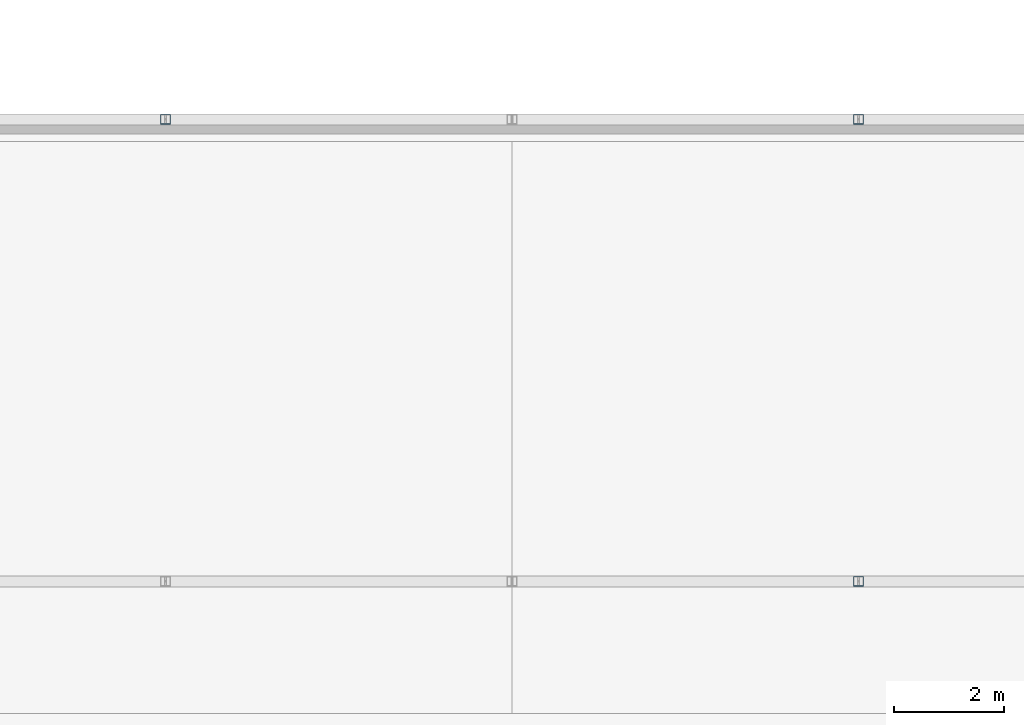
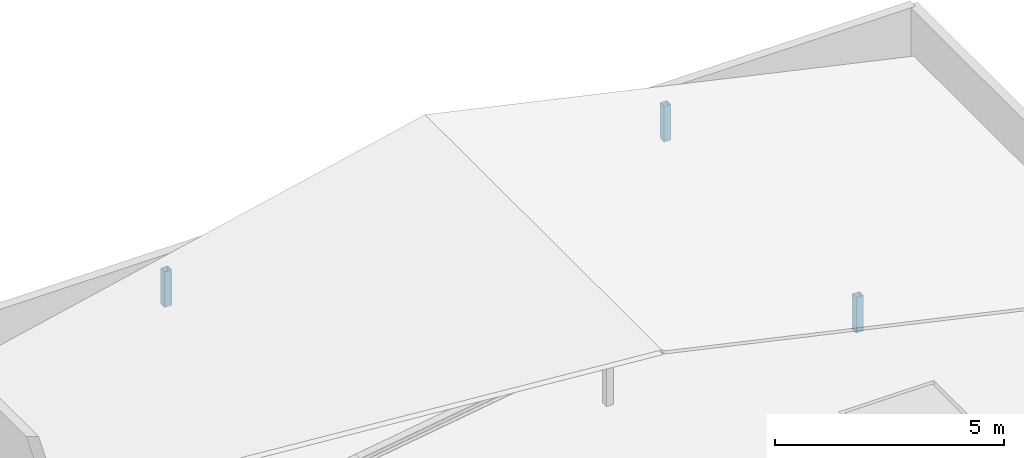
# One storey, part 13 of 21: 3 members.
"""IFC4 building model written with IfcOpenShell, lengths in metres."""

from ifc_helpers import new_model, si_unit, direction, frame, origin, origin_2d, place, context, subcontext, project, spatial, hollow_rectangle, extrude, material, material_profile, profile_set, type_object, element, save


model = new_model("IFC4")

# Units and contexts
model_context = context("Model", 3, precision=1e-05, world=origin(), true_north=direction((0.0, 1.0)))
body_context = subcontext(model_context, "Body", "Model", "MODEL_VIEW")
ifc_project = project(units=[si_unit("LENGTHUNIT", "METRE"), si_unit("AREAUNIT", "SQUARE_METRE"), si_unit("VOLUMEUNIT", "CUBIC_METRE"), si_unit("PLANEANGLEUNIT", "RADIAN"), si_unit("MASSUNIT", "GRAM", prefix="KILO")], contexts=[model_context])

# Site, building, storey
site_placement = place(None, origin())
site = spatial("IfcSite", under=ifc_project, at=site_placement, CompositionType="ELEMENT")
building_placement = place(site_placement, origin())
building = spatial("IfcBuilding", under=site, at=building_placement, Name="Xuanlan Plaza Opera House", CompositionType="ELEMENT")
storey_placement = place(building_placement, frame((0.0, 0.0, 44.699951171875)))
storey = spatial("IfcBuildingStorey", under=building, at=storey_placement, Name="L10", CompositionType="ELEMENT", Elevation=44.699951171875)

# Members
ifc_material = material(Name="Steel Q355B", Category="steel")
ifc_material_profile = material_profile(ifc_material, hollow_rectangle(XDim=0.179931640625, YDim=0.179931640625, WallThickness=0.010009765625, at=origin_2d()), Name="SHS 180x180x10")
ifc_profile_set = profile_set([ifc_material_profile], Name="Steel Q355B")
member_type = type_object("IfcMemberType", Name="STR-MEM-ST-M2", PredefinedType="STRUT", material=ifc_profile_set)
for number, where, z_axis, x_axis, name in (
    (1, (60.89990234375, 67.199951171875, -0.25), (0.0, 0.0, 1.0), (1.0, 0.0, 0.0), "Fly Tower Crown Support Post 04-E1"),
    (2, (48.300048828125, 75.60009765625, -0.25), (0.0, 0.0, 1.0), (1.0, 0.0, 0.0), "Fly Tower Crown Support Post 05-W1"),
    (3, (60.89990234375, 75.60009765625, -0.25), (0.0, 0.0, 1.0), (1.0, 0.0, 0.0), "Fly Tower Crown Support Post 05-E1"),
):
    element("IfcMember", number, at=place(storey_placement, frame(where, z_axis=z_axis, x_axis=x_axis)), inside=storey, type_object=member_type, Name=name, PredefinedType="STRUT", context=body_context, shape_type="SweptSolid", body=[
        extrude(hollow_rectangle(XDim=0.179931640625, YDim=0.179931640625, WallThickness=0.010009765625, at=origin_2d()), origin(), (0.0, 0.0, 1.0), 0.949951171875),
    ])

save(model, "model.ifc")
